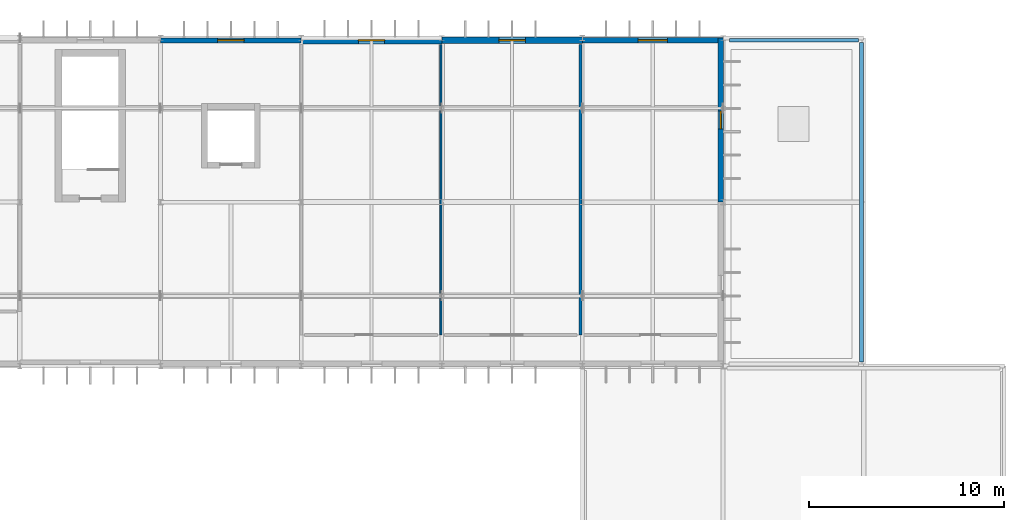
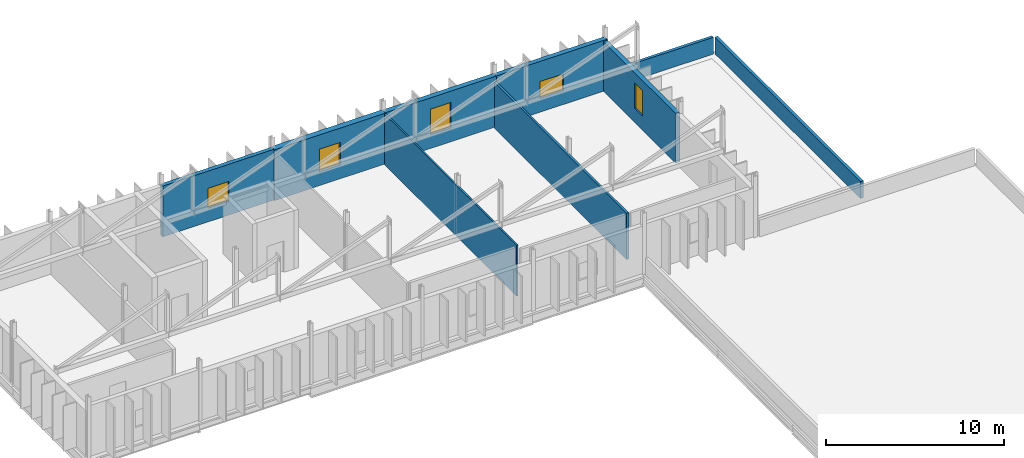
# One storey, part 42 of 52: 9 walls, 5 windows, 5 openings.
"""IFC4 building model written with IfcOpenShell, lengths in metres."""

from ifc_helpers import new_model, si_unit, direction, frame, frame_2d, origin, place, context, subcontext, project, spatial, rectangle, extrude, material, layer, layer_set, type_object, element, fill, save


model = new_model("IFC4")

# Units and contexts
model_context = context("Model", 3, precision=1e-05, world=origin(), true_north=direction((0.0, 1.0)))
body_context = subcontext(model_context, "Body", "Model", "MODEL_VIEW")
ifc_project = project(units=[si_unit("LENGTHUNIT", "METRE"), si_unit("AREAUNIT", "SQUARE_METRE"), si_unit("VOLUMEUNIT", "CUBIC_METRE"), si_unit("PLANEANGLEUNIT", "RADIAN"), si_unit("MASSUNIT", "GRAM", prefix="KILO")], contexts=[model_context])

# Site, building, storey
site_placement = place(None, origin())
site = spatial("IfcSite", under=ifc_project, at=site_placement, CompositionType="ELEMENT")
building_placement = place(site_placement, origin())
building = spatial("IfcBuilding", under=site, at=building_placement, Name="Qelthora Terrace Specialist Clinic", CompositionType="ELEMENT")
storey_placement = place(building_placement, frame((0.0, 0.0, 17.39990234375)))
storey = spatial("IfcBuildingStorey", under=building, at=storey_placement, Name="L04", CompositionType="ELEMENT", Elevation=17.39990234375)

# Wall, opening, window
ifc_material_1 = material(Name="Precast concrete C40/50", Category="concrete")
ifc_layer_1 = layer(ifc_material_1, 0.260009765625)
ifc_layer_set_1 = layer_set([ifc_layer_1], Name="Precast concrete C40/50")
wall_type_1 = type_object("IfcWallType", Name="WAL-EXT-260-PC40", PredefinedType="SOLIDWALL", material=ifc_layer_set_1)
wall_1_placement = place(storey_placement, frame((72.0, 109.080078125, 0.0), z_axis=(0.0, 0.0, 1.0), x_axis=(1.0, 0.0, 0.0)))
wall_1 = element("IfcWall", 1, at=wall_1_placement, inside=storey, type_object=wall_type_1, Name="L04 external precast wall 374", PredefinedType="SOLIDWALL", context=body_context, shape_type="SweptSolid", body=[
    extrude(rectangle(XDim=7.199951171875, YDim=0.260009765625, at=frame_2d((3.60009765625, 0.0))), origin(), (0.0, 0.0, 1.0), 3.482177734375),
])
opening_1_placement = place(wall_1_placement, frame((2.925048828125, 0.0, 0.949951171875)))
opening_1 = element("IfcOpeningElement", 2, at=opening_1_placement, cuts=wall_1, Name="Opening WN-L04-330", PredefinedType="OPENING", context=body_context, shape_type="SweptSolid", body=[
    extrude(rectangle(XDim=1.35009765625, YDim=1.35009765625, at=frame_2d((0.675048828125, 0.675048828125))), frame((0.0, 0.139892578125, 0.0), z_axis=(0.0, -1.0, 0.0), x_axis=(1.0, 0.0, 0.0)), (0.0, 0.0, 1.0), 0.280029296875),
])
ifc_material_2 = material(Name="Low-E triple-silver insulating glass", Category="glass")
window_type_1 = type_object("IfcWindowType", Name="WIN-1350X1350", PartitioningType="SINGLE_PANEL", PredefinedType="WINDOW", material=ifc_material_2)
window_1_placement = place(opening_1_placement, origin())
window_1 = element("IfcWindow", 3, at=window_1_placement, inside=storey, type_object=window_type_1, Name="Clinical window WN-L04-330", OverallHeight=1.35009765625, OverallWidth=1.35009765625, PartitioningType="SINGLE_PANEL", PredefinedType="WINDOW", context=body_context, shape_type="SweptSolid", body=[
    extrude(rectangle(XDim=1.35009765625, YDim=1.35009765625, at=frame_2d((0.675048828125, 0.675048828125))), frame((0.0, 0.030029296875, 0.0), z_axis=(0.0, -1.0, 0.0), x_axis=(1.0, 0.0, 0.0)), (0.0, 0.0, 1.0), 0.06005859375),
])
fill(opening_1, window_1)

ifc_layer_2 = layer(ifc_material_1, 0.280029296875)
ifc_layer_set_2 = layer_set([ifc_layer_2], Name="Precast concrete C40/50")
wall_type_2 = type_object("IfcWallType", Name="WAL-EXT-280-PC40", PredefinedType="SOLIDWALL", material=ifc_layer_set_2)
wall_2_placement = place(storey_placement, frame((100.679931640625, 100.800048828125, 0.0), z_axis=(0.0, 0.0, 1.0), x_axis=(0.0, 1.0, 0.0)))
wall_2 = element("IfcWall", 4, at=wall_2_placement, inside=storey, type_object=wall_type_2, Name="L04 external precast wall 363", PredefinedType="SOLIDWALL", context=body_context, shape_type="SweptSolid", body=[
    extrude(rectangle(XDim=8.39990234375, YDim=0.280029296875, at=frame_2d((4.199951171875, 0.0))), origin(), (0.0, 0.0, 1.0), 3.405029296875),
])
opening_2_placement = place(wall_2_placement, frame((3.75, 0.0, 0.949951171875)))
opening_2 = element("IfcOpeningElement", 5, at=opening_2_placement, cuts=wall_2, Name="Opening WN-L04-320", PredefinedType="OPENING", context=body_context, shape_type="SweptSolid", body=[
    extrude(rectangle(XDim=0.89990234375, YDim=1.75, at=frame_2d((0.449951171875, 0.875))), frame((0.0, 0.14990234375, 0.0), z_axis=(0.0, -1.0, 0.0), x_axis=(1.0, 0.0, 0.0)), (0.0, 0.0, 1.0), 0.300048828125),
])
window_type_2 = type_object("IfcWindowType", Name="WIN-900X1750", PartitioningType="SINGLE_PANEL", PredefinedType="WINDOW", material=ifc_material_2)
window_2_placement = place(opening_2_placement, origin())
window_2 = element("IfcWindow", 6, at=window_2_placement, inside=storey, type_object=window_type_2, Name="Clinical window WN-L04-320", OverallHeight=1.75, OverallWidth=0.89990234375, PartitioningType="SINGLE_PANEL", PredefinedType="WINDOW", context=body_context, shape_type="SweptSolid", body=[
    extrude(rectangle(XDim=0.89990234375, YDim=1.75, at=frame_2d((0.449951171875, 0.875))), frame((0.0, 0.030029296875, 0.0), z_axis=(0.0, -1.0, 0.0), x_axis=(1.0, 0.0, 0.0)), (0.0, 0.0, 1.0), 0.06005859375),
])
fill(opening_2, window_2)

ifc_layer_3 = layer(ifc_material_1, 0.300048828125)
ifc_layer_set_3 = layer_set([ifc_layer_3], Name="Precast concrete C40/50")
wall_type_3 = type_object("IfcWallType", Name="WAL-EXT-300-PC40", PredefinedType="SOLIDWALL", material=ifc_layer_set_3)
wall_3_placement = place(storey_placement, frame((93.60009765625, 109.080078125, 0.0), z_axis=(0.0, 0.0, 1.0), x_axis=(1.0, 0.0, 0.0)))
wall_3 = element("IfcWall", 7, at=wall_3_placement, inside=storey, type_object=wall_type_3, Name="L04 external precast wall 377", PredefinedType="SOLIDWALL", context=body_context, shape_type="SweptSolid", body=[
    extrude(rectangle(XDim=7.199951171875, YDim=0.300048828125, at=frame_2d((3.60009765625, 0.0))), origin(), (0.0, 0.0, 1.0), 3.482177734375),
])
opening_3_placement = place(wall_3_placement, frame((2.85009765625, 0.0, 0.949951171875)))
opening_3 = element("IfcOpeningElement", 8, at=opening_3_placement, cuts=wall_3, Name="Opening WN-L04-333", PredefinedType="OPENING", context=body_context, shape_type="SweptSolid", body=[
    extrude(rectangle(XDim=1.5, YDim=1.14990234375, at=frame_2d((0.75, 0.574951171875))), frame((0.0, 0.159912109375, 0.0), z_axis=(0.0, -1.0, 0.0), x_axis=(1.0, 0.0, 0.0)), (0.0, 0.0, 1.0), 0.320068359375),
])
window_type_3 = type_object("IfcWindowType", Name="WIN-1500X1150", PartitioningType="SINGLE_PANEL", PredefinedType="WINDOW", material=ifc_material_2)
window_3_placement = place(opening_3_placement, origin())
window_3 = element("IfcWindow", 9, at=window_3_placement, inside=storey, type_object=window_type_3, Name="Clinical window WN-L04-333", OverallHeight=1.14990234375, OverallWidth=1.5, PartitioningType="SINGLE_PANEL", PredefinedType="WINDOW", context=body_context, shape_type="SweptSolid", body=[
    extrude(rectangle(XDim=1.5, YDim=1.14990234375, at=frame_2d((0.75, 0.574951171875))), frame((0.0, 0.030029296875, 0.0), z_axis=(0.0, -1.0, 0.0), x_axis=(1.0, 0.0, 0.0)), (0.0, 0.0, 1.0), 0.06005859375),
])
fill(opening_3, window_3)

ifc_layer_4 = layer(ifc_material_1, 0.320068359375)
ifc_layer_set_4 = layer_set([ifc_layer_4], Name="Precast concrete C40/50")
wall_type_4 = type_object("IfcWallType", Name="WAL-EXT-320-PC40", PredefinedType="SOLIDWALL", material=ifc_layer_set_4)
wall_4_placement = place(storey_placement, frame((86.39990234375, 109.080078125, 0.0), z_axis=(0.0, 0.0, 1.0), x_axis=(1.0, 0.0, 0.0)))
wall_4 = element("IfcWall", 10, at=wall_4_placement, inside=storey, type_object=wall_type_4, Name="L04 external precast wall 376", PredefinedType="SOLIDWALL", context=body_context, shape_type="SweptSolid", body=[
    extrude(rectangle(XDim=7.2001953125, YDim=0.320068359375, at=frame_2d((3.60009765625, 0.0))), origin(), (0.0, 0.0, 1.0), 3.482177734375),
])
opening_4_placement = place(wall_4_placement, frame((2.925048828125, 0.0, 0.949951171875)))
opening_4 = element("IfcOpeningElement", 11, at=opening_4_placement, cuts=wall_4, Name="Opening WN-L04-332", PredefinedType="OPENING", context=body_context, shape_type="SweptSolid", body=[
    extrude(rectangle(XDim=1.35009765625, YDim=1.75, at=frame_2d((0.675048828125, 0.875))), frame((0.0, 0.169921875, 0.0), z_axis=(0.0, -1.0, 0.0), x_axis=(1.0, 0.0, 0.0)), (0.0, 0.0, 1.0), 0.340087890625),
])
window_type_4 = type_object("IfcWindowType", Name="WIN-1350X1750", PartitioningType="SINGLE_PANEL", PredefinedType="WINDOW", material=ifc_material_2)
window_4_placement = place(opening_4_placement, origin())
window_4 = element("IfcWindow", 12, at=window_4_placement, inside=storey, type_object=window_type_4, Name="Clinical window WN-L04-332", OverallHeight=1.75, OverallWidth=1.35009765625, PartitioningType="SINGLE_PANEL", PredefinedType="WINDOW", context=body_context, shape_type="SweptSolid", body=[
    extrude(rectangle(XDim=1.35009765625, YDim=1.75, at=frame_2d((0.675048828125, 0.875))), frame((0.0, 0.030029296875, 0.0), z_axis=(0.0, -1.0, 0.0), x_axis=(1.0, 0.0, 0.0)), (0.0, 0.0, 1.0), 0.06005859375),
])
fill(opening_4, window_4)

ifc_layer_5 = layer(ifc_material_1, 0.3798828125)
ifc_layer_set_5 = layer_set([ifc_layer_5], Name="Precast concrete C40/50")
wall_type_5 = type_object("IfcWallType", Name="WAL-EXT-380-PC40", PredefinedType="SOLIDWALL", material=ifc_layer_set_5)
wall_5_placement = place(storey_placement, frame((79.199951171875, 109.080078125, 0.0), z_axis=(0.0, 0.0, 1.0), x_axis=(1.0, 0.0, 0.0)))
wall_5 = element("IfcWall", 13, at=wall_5_placement, inside=storey, type_object=wall_type_5, Name="L04 external precast wall 375", PredefinedType="SOLIDWALL", context=body_context, shape_type="SweptSolid", body=[
    extrude(rectangle(XDim=7.199951171875, YDim=0.3798828125, at=frame_2d((3.60009765625, 0.0))), origin(), (0.0, 0.0, 1.0), 3.482177734375),
])
opening_5_placement = place(wall_5_placement, frame((2.925048828125, 0.0, 0.949951171875)))
opening_5 = element("IfcOpeningElement", 14, at=opening_5_placement, cuts=wall_5, Name="Opening WN-L04-331", PredefinedType="OPENING", context=body_context, shape_type="SweptSolid", body=[
    extrude(rectangle(XDim=1.35009765625, YDim=1.550048828125, at=frame_2d((0.675048828125, 0.77490234375))), frame((0.0, 0.199951171875, 0.0), z_axis=(0.0, -1.0, 0.0), x_axis=(1.0, 0.0, 0.0)), (0.0, 0.0, 1.0), 0.39990234375),
])
window_type_5 = type_object("IfcWindowType", Name="WIN-1350X1550", PartitioningType="SINGLE_PANEL", PredefinedType="WINDOW", material=ifc_material_2)
window_5_placement = place(opening_5_placement, origin())
window_5 = element("IfcWindow", 15, at=window_5_placement, inside=storey, type_object=window_type_5, Name="Clinical window WN-L04-331", OverallHeight=1.550048828125, OverallWidth=1.35009765625, PartitioningType="SINGLE_PANEL", PredefinedType="WINDOW", context=body_context, shape_type="SweptSolid", body=[
    extrude(rectangle(XDim=1.35009765625, YDim=1.550048828125, at=frame_2d((0.675048828125, 0.77490234375))), frame((0.0, 0.030029296875, 0.0), z_axis=(0.0, -1.0, 0.0), x_axis=(1.0, 0.0, 0.0)), (0.0, 0.0, 1.0), 0.06005859375),
])
fill(opening_5, window_5)

# Walls
ifc_material_3 = material(Name="Gypsum acoustic wallboard", Category="gypsum")
ifc_layer_6 = layer(ifc_material_3, 0.139892578125)
ifc_layer_set_6 = layer_set([ifc_layer_6], Name="Gypsum acoustic wallboard")
wall_type_6 = type_object("IfcWallType", Name="WAL-INT-ACU-140", PredefinedType="PARTITIONING", material=ifc_layer_set_6)
wall_6_placement = place(storey_placement, frame((93.5, 108.860107421875, 0.0), z_axis=(0.0, 0.0, 1.0), x_axis=(0.0, -1.0, 0.0)))
element("IfcWall", 16, at=wall_6_placement, inside=storey, type_object=wall_type_6, Name="Interior clinical partition IWAL-L04-0385", PredefinedType="PARTITIONING", context=body_context, shape_type="SweptSolid", body=[
    extrude(rectangle(XDim=14.860107421875, YDim=0.139892578125, at=frame_2d((7.43017578125, 0.0))), origin(), (0.0, 0.0, 1.0), 3.175048828125),
])
ifc_layer_7 = layer(ifc_material_3, 0.10009765625)
ifc_layer_set_7 = layer_set([ifc_layer_7], Name="Gypsum acoustic wallboard")
wall_type_7 = type_object("IfcWallType", Name="WAL-INT-LGT-100", PredefinedType="PARTITIONING", material=ifc_layer_set_7)
wall_7_placement = place(storey_placement, frame((86.35009765625, 108.860107421875, 0.0), z_axis=(0.0, 0.0, 1.0), x_axis=(0.0, -1.0, 0.0)))
element("IfcWall", 17, at=wall_7_placement, inside=storey, type_object=wall_type_7, Name="Interior clinical partition IWAL-L04-0383", PredefinedType="PARTITIONING", context=body_context, shape_type="SweptSolid", body=[
    extrude(rectangle(XDim=14.860107421875, YDim=0.10009765625, at=frame_2d((7.43017578125, 0.0))), origin(), (0.0, 0.0, 1.0), 3.485107421875),
])
ifc_layer_8 = layer(ifc_material_1, 0.18994140625)
ifc_layer_set_8 = layer_set([ifc_layer_8], Name="Precast concrete C40/50")
wall_type_8 = type_object("IfcWallType", Name="WAL-PAR-190-PC40", PredefinedType="PARAPET", material=ifc_layer_set_8)
wall_8_placement = place(storey_placement, frame((107.889892578125, 108.97998046875, 0.0), z_axis=(0.0, 0.0, 1.0), x_axis=(0.0, -1.0, 0.0)))
element("IfcWall", 18, at=wall_8_placement, inside=storey, type_object=wall_type_8, Name="Roof perimeter parapet ROOF-V6-STP4-1-1", PredefinedType="PARAPET", context=body_context, shape_type="SweptSolid", body=[
    extrude(rectangle(XDim=16.35986328125, YDim=0.18994140625, at=frame_2d((8.179931640625, 0.0))), origin(), (0.0, 0.0, 1.0), 1.150146484375),
])
wall_9_placement = place(storey_placement, frame((101.12939453125, 109.090087890625, 0.0), z_axis=(0.0, 0.0, 1.0), x_axis=(1.0, 0.0, 0.0)))
element("IfcWall", 19, at=wall_9_placement, inside=storey, type_object=wall_type_8, Name="Roof perimeter parapet ROOF-V6-STP4-1-3", PredefinedType="PARAPET", context=body_context, shape_type="SweptSolid", body=[
    extrude(rectangle(XDim=6.593505859375, YDim=0.18994140625, at=frame_2d((3.296875, 0.0))), origin(), (0.0, 0.0, 1.0), 1.150146484375),
])

save(model, "model.ifc")
